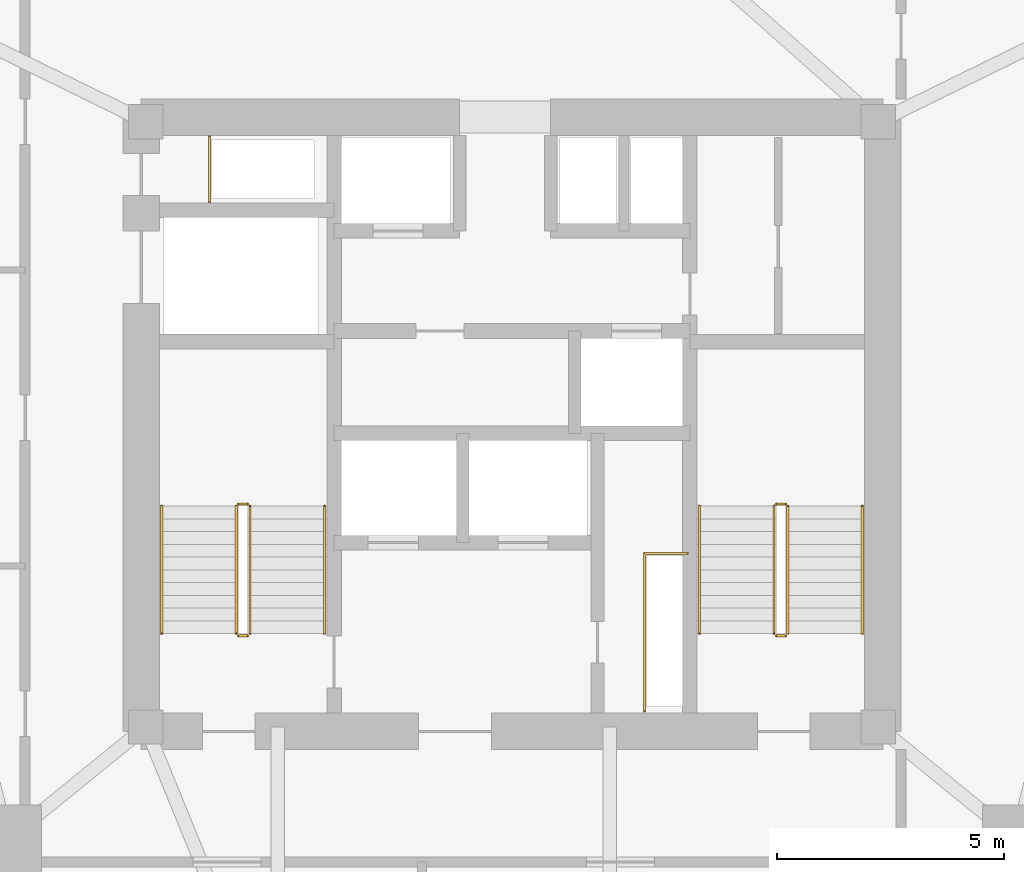
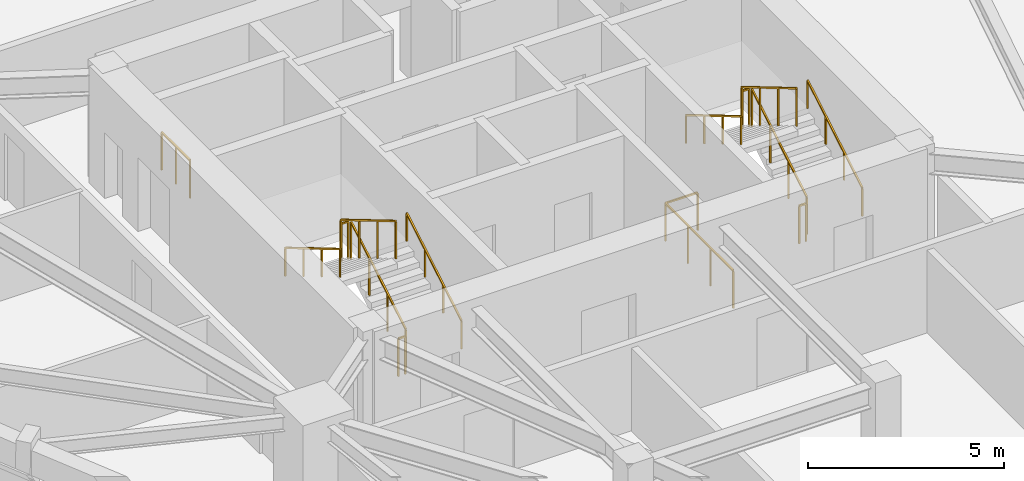
# One storey, part 12 of 12: 14 railings.
"""IFC4 building model written with IfcOpenShell, lengths in metres."""

from ifc_helpers import new_model, si_unit, direction, frame, origin, origin_2d, place, context, subcontext, project, spatial, rectangle, extrude, material, type_object, element, save


model = new_model("IFC4")

# Units and contexts
model_context = context("Model", 3, precision=1e-05, world=origin(), true_north=direction((0.0, 1.0)))
body_context = subcontext(model_context, "Body", "Model", "MODEL_VIEW")
ifc_project = project(units=[si_unit("LENGTHUNIT", "METRE"), si_unit("AREAUNIT", "SQUARE_METRE"), si_unit("VOLUMEUNIT", "CUBIC_METRE"), si_unit("PLANEANGLEUNIT", "RADIAN"), si_unit("MASSUNIT", "GRAM", prefix="KILO")], contexts=[model_context])

# Site, building, storey
site_placement = place(None, origin())
site = spatial("IfcSite", under=ifc_project, at=site_placement, CompositionType="ELEMENT")
building_placement = place(site_placement, origin())
building = spatial("IfcBuilding", under=site, at=building_placement, Name="Talyreon Biosciences Tower", CompositionType="ELEMENT")
storey_placement = place(building_placement, frame((0.0, 0.0, 152.75)))
storey = spatial("IfcBuildingStorey", under=building, at=storey_placement, Name="L40", CompositionType="ELEMENT", Elevation=152.75)

# Railings
ifc_material_1 = material(Name="Brushed stainless-steel tubular handrail", Category="steel")
railing_type_1 = type_object("IfcRailingType", Name="StairWallHandrail_900", PredefinedType="HANDRAIL", material=ifc_material_1)
railing_1_placement = place(storey_placement, frame((61.8798828125, 63.39990234375, 0.166015625)))
element("IfcRailing", 1, at=railing_1_placement, inside=storey, type_object=railing_type_1, Name="L40 ST-1 stair handrail 1", PredefinedType="HANDRAIL", context=body_context, shape_type="SweptSolid", body=[
    extrude(rectangle(XDim=0.048095703125, YDim=0.048095703125, at=origin_2d()), frame((0.0, 0.0, 0.8759765625), z_axis=(0.0, 0.860339051648, 0.50972219513), x_axis=(-1.0, 0.0, 0.0)), (0.0, 0.0, 1.0), 3.254638671875),
    extrude(rectangle(XDim=0.0419921875, YDim=0.0419921875, at=origin_2d()), origin(), (0.0, 0.0, 1.0), 0.851806640625),
    extrude(rectangle(XDim=0.0419921875, YDim=0.0419921875, at=origin_2d()), frame((0.0, 0.933349609375, 0.552978515625)), (0.0, 0.0, 1.0), 0.851806640625),
    extrude(rectangle(XDim=0.0419921875, YDim=0.0419921875, at=origin_2d()), frame((0.0, 1.86669921875, 1.10595703125)), (0.0, 0.0, 1.0), 0.851806640625),
    extrude(rectangle(XDim=0.0419921875, YDim=0.0419921875, at=origin_2d()), frame((0.0, 2.800048828125, 1.658935546875)), (0.0, 0.0, 1.0), 0.851806640625),
])
railing_2_placement = place(storey_placement, frame((58.300048828125, 66.199951171875, 1.990966796875)))
element("IfcRailing", 2, at=railing_2_placement, inside=storey, type_object=railing_type_1, Name="L40 ST-1 stair handrail 2", PredefinedType="HANDRAIL", context=body_context, shape_type="SweptSolid", body=[
    extrude(rectangle(XDim=0.048095703125, YDim=0.048095703125, at=origin_2d()), frame((0.0, 0.0, 0.8759765625), z_axis=(0.0, -0.860339051648, 0.50972219513), x_axis=(1.0, 0.0, 0.0)), (0.0, 0.0, 1.0), 3.254638671875),
    extrude(rectangle(XDim=0.0419921875, YDim=0.0419921875, at=origin_2d()), origin(), (0.0, 0.0, 1.0), 0.851806640625),
    extrude(rectangle(XDim=0.0419921875, YDim=0.0419921875, at=origin_2d()), frame((0.0, -0.933349609375, 0.552978515625)), (0.0, 0.0, 1.0), 0.851806640625),
    extrude(rectangle(XDim=0.0419921875, YDim=0.0419921875, at=origin_2d()), frame((0.0, -1.86669921875, 1.10595703125)), (0.0, 0.0, 1.0), 0.851806640625),
    extrude(rectangle(XDim=0.0419921875, YDim=0.0419921875, at=origin_2d()), frame((0.0, -2.800048828125, 1.658935546875)), (0.0, 0.0, 1.0), 0.851806640625),
])
railing_3_placement = place(storey_placement, frame((73.699951171875, 63.39990234375, 0.166015625)))
element("IfcRailing", 3, at=railing_3_placement, inside=storey, type_object=railing_type_1, Name="L40 ST-2 stair handrail 1", PredefinedType="HANDRAIL", context=body_context, shape_type="SweptSolid", body=[
    extrude(rectangle(XDim=0.048095703125, YDim=0.048095703125, at=origin_2d()), frame((0.0, 0.0, 0.8759765625), z_axis=(0.0, 0.860339051648, 0.50972219513), x_axis=(-1.0, 0.0, 0.0)), (0.0, 0.0, 1.0), 3.254638671875),
    extrude(rectangle(XDim=0.0419921875, YDim=0.0419921875, at=origin_2d()), origin(), (0.0, 0.0, 1.0), 0.851806640625),
    extrude(rectangle(XDim=0.0419921875, YDim=0.0419921875, at=origin_2d()), frame((0.0, 0.933349609375, 0.552978515625)), (0.0, 0.0, 1.0), 0.851806640625),
    extrude(rectangle(XDim=0.0419921875, YDim=0.0419921875, at=origin_2d()), frame((0.0, 1.86669921875, 1.10595703125)), (0.0, 0.0, 1.0), 0.851806640625),
    extrude(rectangle(XDim=0.0419921875, YDim=0.0419921875, at=origin_2d()), frame((0.0, 2.800048828125, 1.658935546875)), (0.0, 0.0, 1.0), 0.851806640625),
])
railing_4_placement = place(storey_placement, frame((70.1201171875, 66.199951171875, 1.990966796875)))
element("IfcRailing", 4, at=railing_4_placement, inside=storey, type_object=railing_type_1, Name="L40 ST-2 stair handrail 2", PredefinedType="HANDRAIL", context=body_context, shape_type="SweptSolid", body=[
    extrude(rectangle(XDim=0.048095703125, YDim=0.048095703125, at=origin_2d()), frame((0.0, 0.0, 0.8759765625), z_axis=(0.0, -0.860339051648, 0.50972219513), x_axis=(1.0, 0.0, 0.0)), (0.0, 0.0, 1.0), 3.254638671875),
    extrude(rectangle(XDim=0.0419921875, YDim=0.0419921875, at=origin_2d()), origin(), (0.0, 0.0, 1.0), 0.851806640625),
    extrude(rectangle(XDim=0.0419921875, YDim=0.0419921875, at=origin_2d()), frame((0.0, -0.933349609375, 0.552978515625)), (0.0, 0.0, 1.0), 0.851806640625),
    extrude(rectangle(XDim=0.0419921875, YDim=0.0419921875, at=origin_2d()), frame((0.0, -1.86669921875, 1.10595703125)), (0.0, 0.0, 1.0), 0.851806640625),
    extrude(rectangle(XDim=0.0419921875, YDim=0.0419921875, at=origin_2d()), frame((0.0, -2.800048828125, 1.658935546875)), (0.0, 0.0, 1.0), 0.851806640625),
])
ifc_material_2 = material(Name="Painted galvanised steel post-and-rail balustrade", Category="steel")
railing_type_2 = type_object("IfcRailingType", Name="TerraceStairGuard_1200", PredefinedType="GUARDRAIL", material=ifc_material_2)
railing_5_placement = place(storey_placement, frame((60.239990234375, 63.39990234375, 0.166015625)))
element("IfcRailing", 5, at=railing_5_placement, inside=storey, type_object=railing_type_2, Name="L40 ST-1 stair guard 1", PredefinedType="GUARDRAIL", context=body_context, shape_type="SweptSolid", body=[
    extrude(rectangle(XDim=0.048095703125, YDim=0.048095703125, at=origin_2d()), frame((0.0, 0.0, 1.17578125), z_axis=(0.0, 0.860339051648, 0.50972219513), x_axis=(-1.0, 0.0, 0.0)), (0.0, 0.0, 1.0), 3.254638671875),
    extrude(rectangle(XDim=0.0419921875, YDim=0.0419921875, at=origin_2d()), origin(), (0.0, 0.0, 1.0), 1.15185546875),
    extrude(rectangle(XDim=0.0419921875, YDim=0.0419921875, at=origin_2d()), frame((0.0, 0.933349609375, 0.552978515625)), (0.0, 0.0, 1.0), 1.15185546875),
    extrude(rectangle(XDim=0.0419921875, YDim=0.0419921875, at=origin_2d()), frame((0.0, 1.86669921875, 1.10595703125)), (0.0, 0.0, 1.0), 1.15185546875),
    extrude(rectangle(XDim=0.0419921875, YDim=0.0419921875, at=origin_2d()), frame((0.0, 2.800048828125, 1.658935546875)), (0.0, 0.0, 1.0), 1.15185546875),
])
railing_6_placement = place(storey_placement, frame((60.18994140625, 66.25, 1.824951171875)))
element("IfcRailing", 6, at=railing_6_placement, inside=storey, type_object=railing_type_2, Name="L40 ST-1 stair guard 2", PredefinedType="GUARDRAIL", context=body_context, shape_type="SweptSolid", body=[
    extrude(rectangle(XDim=0.048095703125, YDim=0.048095703125, at=origin_2d()), frame((0.0, 0.0, 1.17578125), z_axis=(-1.0, 0.0, 0.0), x_axis=(0.0, -1.0, 0.0)), (0.0, 0.0, 1.0), 0.199951171875),
    extrude(rectangle(XDim=0.0419921875, YDim=0.0419921875, at=origin_2d()), origin(), (0.0, 0.0, 1.0), 1.15185546875),
    extrude(rectangle(XDim=0.0419921875, YDim=0.0419921875, at=origin_2d()), frame((-0.199951171875, 0.0, 0.0)), (0.0, 0.0, 1.0), 1.15185546875),
])
railing_7_placement = place(storey_placement, frame((59.93994140625, 66.199951171875, 1.990966796875)))
element("IfcRailing", 7, at=railing_7_placement, inside=storey, type_object=railing_type_2, Name="L40 ST-1 stair guard 3", PredefinedType="GUARDRAIL", context=body_context, shape_type="SweptSolid", body=[
    extrude(rectangle(XDim=0.048095703125, YDim=0.048095703125, at=origin_2d()), frame((0.0, 0.0, 1.17578125), z_axis=(0.0, -0.860339051648, 0.50972219513), x_axis=(1.0, 0.0, 0.0)), (0.0, 0.0, 1.0), 3.254638671875),
    extrude(rectangle(XDim=0.0419921875, YDim=0.0419921875, at=origin_2d()), origin(), (0.0, 0.0, 1.0), 1.15185546875),
    extrude(rectangle(XDim=0.0419921875, YDim=0.0419921875, at=origin_2d()), frame((0.0, -0.933349609375, 0.552978515625)), (0.0, 0.0, 1.0), 1.15185546875),
    extrude(rectangle(XDim=0.0419921875, YDim=0.0419921875, at=origin_2d()), frame((0.0, -1.86669921875, 1.10595703125)), (0.0, 0.0, 1.0), 1.15185546875),
    extrude(rectangle(XDim=0.0419921875, YDim=0.0419921875, at=origin_2d()), frame((0.0, -2.800048828125, 1.658935546875)), (0.0, 0.0, 1.0), 1.15185546875),
])
railing_8_placement = place(storey_placement, frame((60.18994140625, 63.35009765625, 0.0)))
element("IfcRailing", 8, at=railing_8_placement, inside=storey, type_object=railing_type_2, Name="L40 ST-1 stair guard 4", PredefinedType="GUARDRAIL", context=body_context, shape_type="SweptSolid", body=[
    extrude(rectangle(XDim=0.048095703125, YDim=0.048095703125, at=origin_2d()), frame((0.0, 0.0, 1.17578125), z_axis=(-1.0, 0.0, 0.0), x_axis=(0.0, -1.0, 0.0)), (0.0, 0.0, 1.0), 0.199951171875),
    extrude(rectangle(XDim=0.0419921875, YDim=0.0419921875, at=origin_2d()), origin(), (0.0, 0.0, 1.0), 1.15185546875),
    extrude(rectangle(XDim=0.0419921875, YDim=0.0419921875, at=origin_2d()), frame((-0.199951171875, 0.0, 0.0)), (0.0, 0.0, 1.0), 1.15185546875),
])
railing_9_placement = place(storey_placement, frame((72.06005859375, 63.39990234375, 0.166015625)))
element("IfcRailing", 9, at=railing_9_placement, inside=storey, type_object=railing_type_2, Name="L40 ST-2 stair guard 1", PredefinedType="GUARDRAIL", context=body_context, shape_type="SweptSolid", body=[
    extrude(rectangle(XDim=0.048095703125, YDim=0.048095703125, at=origin_2d()), frame((0.0, 0.0, 1.17578125), z_axis=(0.0, 0.860339051648, 0.50972219513), x_axis=(-1.0, 0.0, 0.0)), (0.0, 0.0, 1.0), 3.254638671875),
    extrude(rectangle(XDim=0.0419921875, YDim=0.0419921875, at=origin_2d()), origin(), (0.0, 0.0, 1.0), 1.15185546875),
    extrude(rectangle(XDim=0.0419921875, YDim=0.0419921875, at=origin_2d()), frame((0.0, 0.933349609375, 0.552978515625)), (0.0, 0.0, 1.0), 1.15185546875),
    extrude(rectangle(XDim=0.0419921875, YDim=0.0419921875, at=origin_2d()), frame((0.0, 1.86669921875, 1.10595703125)), (0.0, 0.0, 1.0), 1.15185546875),
    extrude(rectangle(XDim=0.0419921875, YDim=0.0419921875, at=origin_2d()), frame((0.0, 2.800048828125, 1.658935546875)), (0.0, 0.0, 1.0), 1.15185546875),
])
railing_10_placement = place(storey_placement, frame((72.010009765625, 66.25, 1.824951171875)))
element("IfcRailing", 10, at=railing_10_placement, inside=storey, type_object=railing_type_2, Name="L40 ST-2 stair guard 2", PredefinedType="GUARDRAIL", context=body_context, shape_type="SweptSolid", body=[
    extrude(rectangle(XDim=0.048095703125, YDim=0.048095703125, at=origin_2d()), frame((0.0, 0.0, 1.17578125), z_axis=(-1.0, 0.0, 0.0), x_axis=(0.0, -1.0, 0.0)), (0.0, 0.0, 1.0), 0.199951171875),
    extrude(rectangle(XDim=0.0419921875, YDim=0.0419921875, at=origin_2d()), origin(), (0.0, 0.0, 1.0), 1.15185546875),
    extrude(rectangle(XDim=0.0419921875, YDim=0.0419921875, at=origin_2d()), frame((-0.199951171875, 0.0, 0.0)), (0.0, 0.0, 1.0), 1.15185546875),
])
railing_11_placement = place(storey_placement, frame((71.760009765625, 66.199951171875, 1.990966796875)))
element("IfcRailing", 11, at=railing_11_placement, inside=storey, type_object=railing_type_2, Name="L40 ST-2 stair guard 3", PredefinedType="GUARDRAIL", context=body_context, shape_type="SweptSolid", body=[
    extrude(rectangle(XDim=0.048095703125, YDim=0.048095703125, at=origin_2d()), frame((0.0, 0.0, 1.17578125), z_axis=(0.0, -0.860339051648, 0.50972219513), x_axis=(1.0, 0.0, 0.0)), (0.0, 0.0, 1.0), 3.254638671875),
    extrude(rectangle(XDim=0.0419921875, YDim=0.0419921875, at=origin_2d()), origin(), (0.0, 0.0, 1.0), 1.15185546875),
    extrude(rectangle(XDim=0.0419921875, YDim=0.0419921875, at=origin_2d()), frame((0.0, -0.933349609375, 0.552978515625)), (0.0, 0.0, 1.0), 1.15185546875),
    extrude(rectangle(XDim=0.0419921875, YDim=0.0419921875, at=origin_2d()), frame((0.0, -1.86669921875, 1.10595703125)), (0.0, 0.0, 1.0), 1.15185546875),
    extrude(rectangle(XDim=0.0419921875, YDim=0.0419921875, at=origin_2d()), frame((0.0, -2.800048828125, 1.658935546875)), (0.0, 0.0, 1.0), 1.15185546875),
])
railing_12_placement = place(storey_placement, frame((72.010009765625, 63.35009765625, 0.0)))
element("IfcRailing", 12, at=railing_12_placement, inside=storey, type_object=railing_type_2, Name="L40 ST-2 stair guard 4", PredefinedType="GUARDRAIL", context=body_context, shape_type="SweptSolid", body=[
    extrude(rectangle(XDim=0.048095703125, YDim=0.048095703125, at=origin_2d()), frame((0.0, 0.0, 1.17578125), z_axis=(-1.0, 0.0, 0.0), x_axis=(0.0, -1.0, 0.0)), (0.0, 0.0, 1.0), 0.199951171875),
    extrude(rectangle(XDim=0.0419921875, YDim=0.0419921875, at=origin_2d()), origin(), (0.0, 0.0, 1.0), 1.15185546875),
    extrude(rectangle(XDim=0.0419921875, YDim=0.0419921875, at=origin_2d()), frame((-0.199951171875, 0.0, 0.0)), (0.0, 0.0, 1.0), 1.15185546875),
])
railing_13_placement = place(storey_placement, frame((59.35009765625, 72.8798828125, 0.0)))
element("IfcRailing", 13, at=railing_13_placement, inside=storey, type_object=railing_type_2, Name="L40 Exhaust Riser Maintenance Guardrail", PredefinedType="GUARDRAIL", context=body_context, shape_type="SweptSolid", body=[
    extrude(rectangle(XDim=0.048095703125, YDim=0.048095703125, at=origin_2d()), frame((0.0, 0.0, 1.17578125), z_axis=(0.0, 1.0, 0.0), x_axis=(-1.0, 0.0, 0.0)), (0.0, 0.0, 1.0), 1.4501953125),
    extrude(rectangle(XDim=0.0419921875, YDim=0.0419921875, at=origin_2d()), origin(), (0.0, 0.0, 1.0), 1.15185546875),
    extrude(rectangle(XDim=0.0419921875, YDim=0.0419921875, at=origin_2d()), frame((0.0, 0.72509765625, 0.0)), (0.0, 0.0, 1.0), 1.15185546875),
    extrude(rectangle(XDim=0.0419921875, YDim=0.0419921875, at=origin_2d()), frame((0.0, 1.4501953125, 0.0)), (0.0, 0.0, 1.0), 1.15185546875),
])
railing_14_placement = place(storey_placement, frame((68.909912109375, 61.699951171875, 0.0)))
element("IfcRailing", 14, at=railing_14_placement, inside=storey, type_object=railing_type_2, Name="L40 Electrical Riser Maintenance Guardrail", PredefinedType="GUARDRAIL", context=body_context, shape_type="SweptSolid", body=[
    extrude(rectangle(XDim=0.048095703125, YDim=0.048095703125, at=origin_2d()), frame((0.0, 0.0, 1.17578125), z_axis=(0.0, 1.0, 0.0), x_axis=(-1.0, 0.0, 0.0)), (0.0, 0.0, 1.0), 3.4599609375),
    extrude(rectangle(XDim=0.048095703125, YDim=0.048095703125, at=origin_2d()), frame((0.0, 3.4599609375, 1.17578125), z_axis=(1.0, 0.0, 0.0), x_axis=(0.0, 1.0, 0.0)), (0.0, 0.0, 1.0), 0.9501953125),
    extrude(rectangle(XDim=0.0419921875, YDim=0.0419921875, at=origin_2d()), origin(), (0.0, 0.0, 1.0), 1.15185546875),
    extrude(rectangle(XDim=0.0419921875, YDim=0.0419921875, at=origin_2d()), frame((0.0, 1.1533203125, 0.0)), (0.0, 0.0, 1.0), 1.15185546875),
    extrude(rectangle(XDim=0.0419921875, YDim=0.0419921875, at=origin_2d()), frame((0.0, 2.306640625, 0.0)), (0.0, 0.0, 1.0), 1.15185546875),
    extrude(rectangle(XDim=0.0419921875, YDim=0.0419921875, at=origin_2d()), frame((0.0, 3.4599609375, 0.0)), (0.0, 0.0, 1.0), 1.15185546875),
    extrude(rectangle(XDim=0.0419921875, YDim=0.0419921875, at=origin_2d()), frame((0.9501953125, 3.4599609375, 0.0)), (0.0, 0.0, 1.0), 1.15185546875),
])

save(model, "model.ifc")
